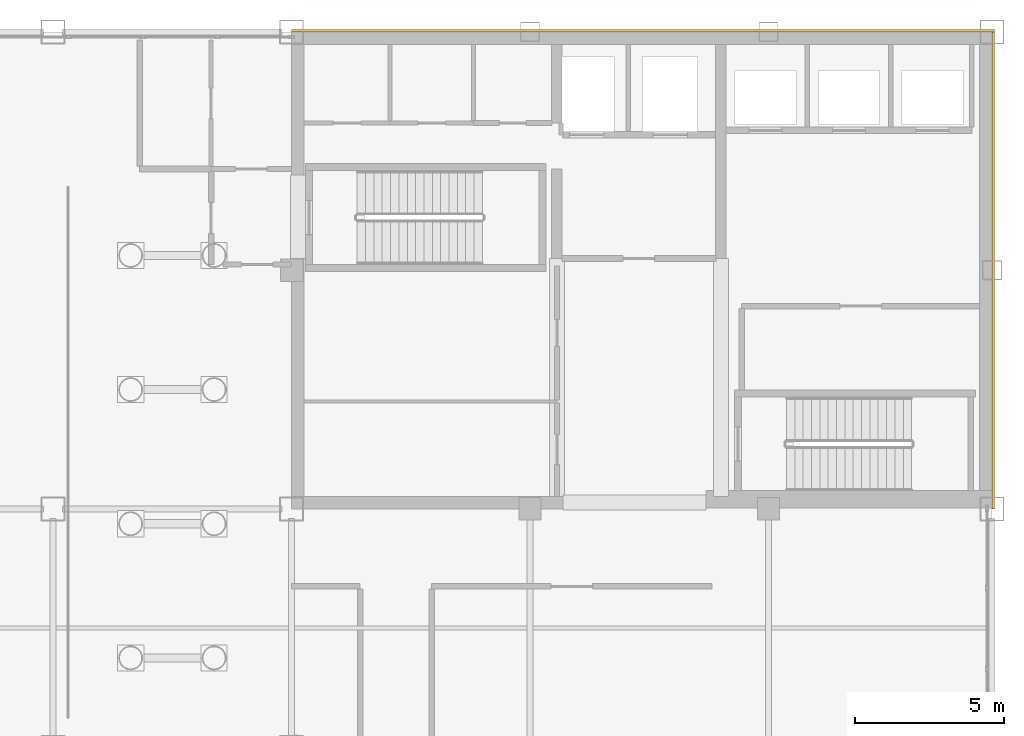
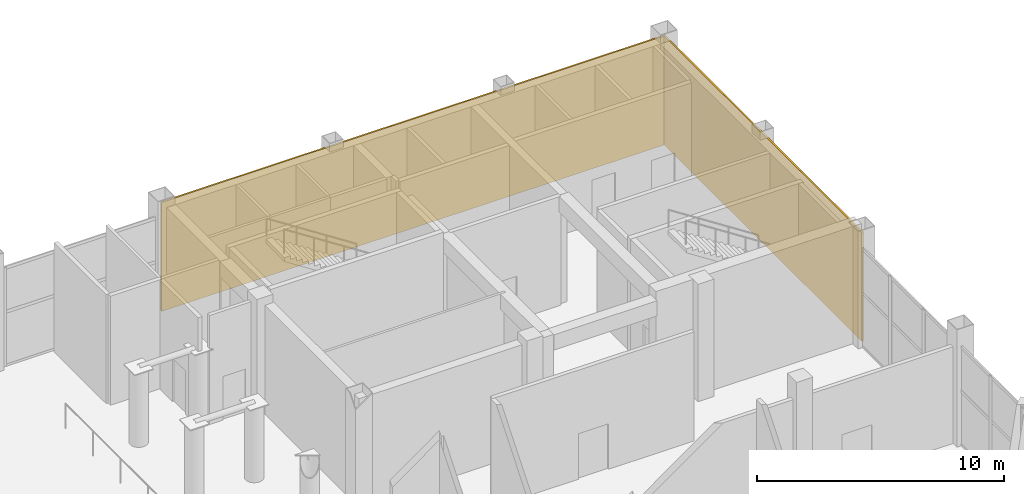
# One storey, part 18 of 18: 2 coverings.
"""IFC4 building model written with IfcOpenShell, lengths in metres."""

from ifc_helpers import new_model, si_unit, direction, frame, origin, origin_2d, place, context, subcontext, project, spatial, rectangle, extrude, material, layer, layer_set, type_object, element, save


model = new_model("IFC4")

# Units and contexts
model_context = context("Model", 3, precision=1e-05, world=origin(), true_north=direction((0.0, 1.0)))
body_context = subcontext(model_context, "Body", "Model", "MODEL_VIEW")
ifc_project = project(units=[si_unit("LENGTHUNIT", "METRE"), si_unit("AREAUNIT", "SQUARE_METRE"), si_unit("VOLUMEUNIT", "CUBIC_METRE"), si_unit("PLANEANGLEUNIT", "RADIAN"), si_unit("MASSUNIT", "GRAM", prefix="KILO")], contexts=[model_context])

# Site, building, storey
site_placement = place(None, origin())
site = spatial("IfcSite", under=ifc_project, at=site_placement, CompositionType="ELEMENT")
building_placement = place(site_placement, origin())
building = spatial("IfcBuilding", under=site, at=building_placement, Name="Qianrong Seaharbour Tower", CompositionType="ELEMENT")
storey_placement = place(building_placement, frame((0.0, 0.0, 367.199951171875)))
storey = spatial("IfcBuildingStorey", under=building, at=storey_placement, Name="L89", CompositionType="ELEMENT", Elevation=367.199951171875)

# Coverings
ifc_material = material(Name="Unitised red brick cladding on Precast concrete C45/55", Category="masonry")
ifc_layer = layer(ifc_material, 0.080078125)
ifc_layer_set = layer_set([ifc_layer], Name="Unitised red brick cladding on Precast concrete C45/55")
covering_type = type_object("IfcCoveringType", Name="COV-CLAD-RED-BRICK-80", PredefinedType="CLADDING", material=ifc_layer_set)
covering_1_placement = place(storey_placement, frame((52.2900390625, 52.0400390625, 0.0), z_axis=(0.0, 0.0, 1.0), x_axis=(1.0, 0.0, 0.0)))
element("IfcCovering", 1, at=covering_1_placement, inside=storey, type_object=covering_type, Name="L89 North Core Brick Veneer Cladding", PredefinedType="CLADDING", context=body_context, shape_type="SweptSolid", body=[
    extrude(rectangle(XDim=23.580078125, YDim=0.080078125, at=origin_2d()), origin(), (0.0, 0.0, 1.0), 5.389892578125),
])
covering_2_placement = place(storey_placement, frame((64.0400390625, 44.0, 0.0), z_axis=(0.0, 0.0, 1.0), x_axis=(1.0, 0.0, 0.0)))
element("IfcCovering", 2, at=covering_2_placement, inside=storey, type_object=covering_type, Name="L89 East Core Brick Veneer Cladding", PredefinedType="CLADDING", context=body_context, shape_type="SweptSolid", body=[
    extrude(rectangle(XDim=0.080078125, YDim=16.0, at=origin_2d()), origin(), (0.0, 0.0, 1.0), 5.389892578125),
])

save(model, "model.ifc")
